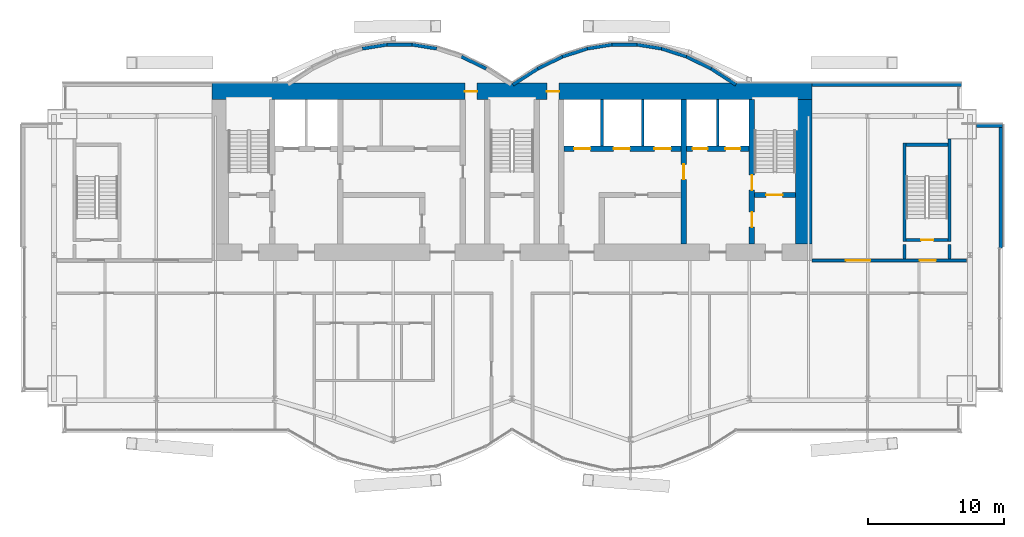
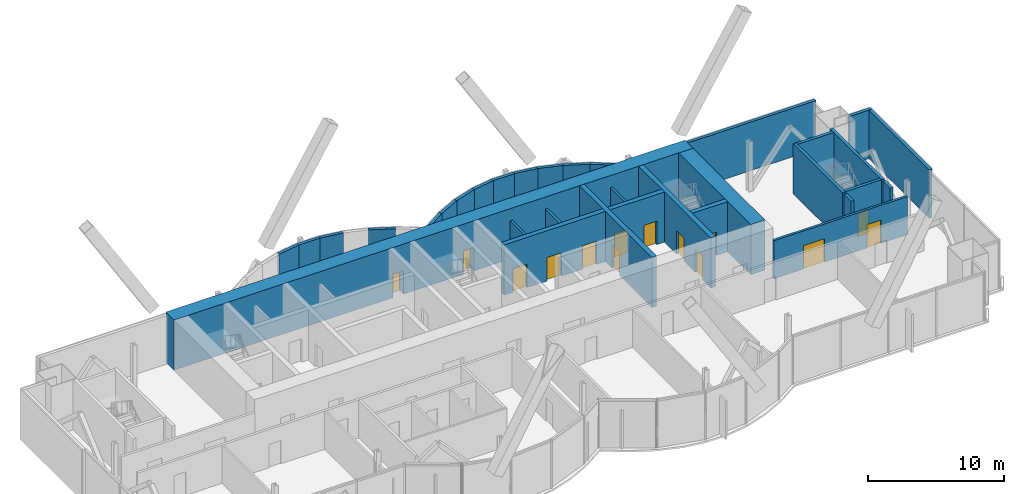
# One storey, part 15 of 19: 32 walls, 14 doors, 14 openings.
"""IFC4 building model written with IfcOpenShell, lengths in metres."""

from ifc_helpers import new_model, si_unit, direction, frame, frame_2d, origin, place, context, subcontext, project, spatial, rectangle, extrude, material, layer, layer_set, layer_usage, type_object, element, fill, save


model = new_model("IFC4")

# Units and contexts
model_context = context("Model", 3, precision=1e-05, world=origin(), true_north=direction((0.0, 1.0)))
body_context = subcontext(model_context, "Body", "Model", "MODEL_VIEW")
ifc_project = project(units=[si_unit("LENGTHUNIT", "METRE"), si_unit("AREAUNIT", "SQUARE_METRE"), si_unit("VOLUMEUNIT", "CUBIC_METRE"), si_unit("PLANEANGLEUNIT", "RADIAN"), si_unit("MASSUNIT", "GRAM", prefix="KILO")], contexts=[model_context])

# Site, building, storey
site_placement = place(None, origin())
site = spatial("IfcSite", under=ifc_project, at=site_placement, CompositionType="ELEMENT")
building_placement = place(site_placement, origin())
building = spatial("IfcBuilding", under=site, at=building_placement, Name="Bicima Exchange Tower", CompositionType="ELEMENT")
storey_placement = place(building_placement, frame((0.0, 0.0, 324.5)))
storey = spatial("IfcBuildingStorey", under=building, at=storey_placement, Name="L73", CompositionType="ELEMENT", Elevation=324.5)

# Walls
ifc_material_1 = material(Name="Gypsum board partition")
ifc_layer_1 = layer(ifc_material_1, 0.199951171875)
ifc_layer_set_1 = layer_set([ifc_layer_1], Name="Gypsum board partition")
wall_type_1 = type_object("IfcWallType", Name="Fire-rated gypsum partition 200 EI120", PredefinedType="PARTITIONING", material=ifc_layer_set_1)
for number, where, z_axis, x_axis, name in (
    (1, (6.60009765625, -4.60009765625, 0.0), (0.0, 0.0, 1.0), (0.0, 1.0, 0.0), "partition wall 18"),
    (2, (9.60009765625, -4.60009765625, 0.0), (0.0, 0.0, 1.0), (0.0, 1.0, 0.0), "partition wall 19"),
    (3, (15.10009765625, -4.60009765625, 0.0), (0.0, 0.0, 1.0), (0.0, 1.0, 0.0), "partition wall 21"),
):
    element("IfcWall", number, at=place(storey_placement, frame(where, z_axis=z_axis, x_axis=x_axis)), inside=storey, type_object=wall_type_1, Name=name, PredefinedType="PARTITIONING", context=body_context, shape_type="SweptSolid", body=[
        extrude(rectangle(XDim=3.400146484375, YDim=0.199951171875, at=frame_2d((1.7001953125, 0.0))), origin(), (0.0, 0.0, 1.0), 3.418212890625),
    ])

# Wall, openings, doors
ifc_layer_2 = layer(ifc_material_1, 0.199951171875)
ifc_layer_set_2 = layer_set([ifc_layer_2], Name="Gypsum board partition")
wall_type_2 = type_object("IfcWallType", Name="Fire-rated gypsum partition 200 EI60", PredefinedType="PARTITIONING", material=ifc_layer_set_2)
wall_1_placement = place(storey_placement, frame((22.0, -13.0, 0.0), z_axis=(0.0, 0.0, 1.0), x_axis=(1.0, 0.0, 0.0)))
wall_1 = element("IfcWall", 4, at=wall_1_placement, inside=storey, type_object=wall_type_2, Name="partition wall 6", PredefinedType="PARTITIONING", context=body_context, shape_type="SweptSolid", body=[
    extrude(rectangle(XDim=11.340087890625, YDim=0.199951171875, at=frame_2d((5.669921875, 0.0))), origin(), (0.0, 0.0, 1.0), 3.418212890625),
])
opening_1_placement = place(wall_1_placement, frame((7.89990234375, 0.0, 0.0)))
opening_1 = element("IfcOpeningElement", 5, at=opening_1_placement, cuts=wall_1, Name="Opening L73-003", PredefinedType="OPENING", context=body_context, shape_type="SweptSolid", body=[
    extrude(rectangle(XDim=1.199951171875, YDim=2.10009765625, at=frame_2d((0.60009765625, 1.050048828125))), frame((0.0, 0.11181640625, 0.0), z_axis=(0.0, -1.0, 0.0), x_axis=(1.0, 0.0, 0.0)), (0.0, 0.0, 1.0), 0.223876953125),
])
opening_2_placement = place(wall_1_placement, frame((2.5, 0.0, 0.0)))
opening_2 = element("IfcOpeningElement", 6, at=opening_2_placement, cuts=wall_1, Name="Opening L73-006", PredefinedType="OPENING", context=body_context, shape_type="SweptSolid", body=[
    extrude(rectangle(XDim=1.800048828125, YDim=2.10009765625, at=frame_2d((0.89990234375, 1.050048828125))), frame((0.0, 0.11181640625, 0.0), z_axis=(0.0, -1.0, 0.0), x_axis=(1.0, 0.0, 0.0)), (0.0, 0.0, 1.0), 0.223876953125),
])
ifc_material_2 = material(Name="Steel fire door leaf", Category="steel")
door_type_1 = type_object("IfcDoorType", Name="Door 1200 swing FD30S", OperationType="SINGLE_SWING_LEFT", PredefinedType="DOOR", material=ifc_material_2)
door_1_placement = place(opening_1_placement, origin())
door_1 = element("IfcDoor", 7, at=door_1_placement, inside=storey, type_object=door_type_1, Name="Door", OperationType="SINGLE_SWING_RIGHT", OverallHeight=2.10009765625, OverallWidth=1.199951171875, PredefinedType="DOOR", context=body_context, shape_type="SweptSolid", body=[
    extrude(rectangle(XDim=1.199951171875, YDim=2.10009765625, at=frame_2d((0.60009765625, 1.050048828125))), frame((0.0, 0.02490234375, 0.0), z_axis=(0.0, -1.0, 0.0), x_axis=(1.0, 0.0, 0.0)), (0.0, 0.0, 1.0), 0.050048828125),
])
fill(opening_1, door_1)
door_type_2 = type_object("IfcDoorType", Name="Door 1800 double swing FD30S", OperationType="DOUBLE_DOOR_SINGLE_SWING", PredefinedType="DOOR", material=ifc_material_2)
door_2_placement = place(opening_2_placement, origin())
door_2 = element("IfcDoor", 8, at=door_2_placement, inside=storey, type_object=door_type_2, Name="Door", OperationType="SINGLE_SWING_LEFT", OverallHeight=2.10009765625, OverallWidth=1.800048828125, PredefinedType="DOOR", context=body_context, shape_type="SweptSolid", body=[
    extrude(rectangle(XDim=1.800048828125, YDim=2.10009765625, at=frame_2d((0.89990234375, 1.050048828125))), frame((0.0, 0.02490234375, 0.0), z_axis=(0.0, -1.0, 0.0), x_axis=(1.0, 0.0, 0.0)), (0.0, 0.0, 1.0), 0.050048828125),
])
fill(opening_2, door_2)

ifc_material_3 = material(Name="Concrete C40/50", Category="concrete")
ifc_layer_3 = layer(ifc_material_3, 1.199951171875)
ifc_layer_set_3 = layer_set([ifc_layer_3], Name="Concrete C40/50")
wall_type_3 = type_object("IfcWallType", Name="RC core wall 1200 C40/50", PredefinedType="SHEAR", material=ifc_layer_set_3)
wall_2_placement = place(storey_placement, frame((-22.0, -0.60009765625, 0.0), z_axis=(0.0, 0.0, 1.0), x_axis=(1.0, 0.0, 0.0)))
wall_2 = element("IfcWall", 9, at=wall_2_placement, inside=storey, type_object=wall_type_3, Name="Core wall north", PredefinedType="SHEAR", context=body_context, shape_type="SweptSolid", body=[
    extrude(rectangle(XDim=44.0, YDim=1.199951171875, at=frame_2d((22.0, 0.0))), origin(), (0.0, 0.0, 1.0), 4.5),
])
opening_3_placement = place(wall_2_placement, frame((18.550048828125, 0.0, 0.0)))
opening_3 = element("IfcOpeningElement", 10, at=opening_3_placement, cuts=wall_2, Name="Opening L73-C16", PredefinedType="OPENING", context=body_context, shape_type="SweptSolid", body=[
    extrude(rectangle(XDim=0.89990234375, YDim=2.10009765625, at=frame_2d((0.449951171875, 1.050048828125))), frame((0.0, 0.61181640625, 0.0), z_axis=(0.0, -1.0, 0.0), x_axis=(1.0, 0.0, 0.0)), (0.0, 0.0, 1.0), 1.223876953125),
])
opening_4_placement = place(wall_2_placement, frame((24.550048828125, 0.0, 0.0)))
opening_4 = element("IfcOpeningElement", 11, at=opening_4_placement, cuts=wall_2, Name="Opening L73-C17", PredefinedType="OPENING", context=body_context, shape_type="SweptSolid", body=[
    extrude(rectangle(XDim=0.89990234375, YDim=2.10009765625, at=frame_2d((0.449951171875, 1.050048828125))), frame((0.0, 0.61181640625, 0.0), z_axis=(0.0, -1.0, 0.0), x_axis=(1.0, 0.0, 0.0)), (0.0, 0.0, 1.0), 1.223876953125),
])
door_type_3 = type_object("IfcDoorType", Name="Door 900 swing FD30S", OperationType="SINGLE_SWING_LEFT", PredefinedType="DOOR", material=ifc_material_2)
door_3_placement = place(opening_3_placement, origin())
door_3 = element("IfcDoor", 12, at=door_3_placement, inside=storey, type_object=door_type_3, Name="Core door", OperationType="SINGLE_SWING_LEFT", OverallHeight=2.10009765625, OverallWidth=0.89990234375, PredefinedType="DOOR", context=body_context, shape_type="SweptSolid", body=[
    extrude(rectangle(XDim=0.89990234375, YDim=2.10009765625, at=frame_2d((0.449951171875, 1.050048828125))), frame((0.0, 0.02490234375, 0.0), z_axis=(0.0, -1.0, 0.0), x_axis=(1.0, 0.0, 0.0)), (0.0, 0.0, 1.0), 0.050048828125),
])
fill(opening_3, door_3)
door_4_placement = place(opening_4_placement, origin())
door_4 = element("IfcDoor", 13, at=door_4_placement, inside=storey, type_object=door_type_3, Name="Core door", OperationType="SINGLE_SWING_LEFT", OverallHeight=2.10009765625, OverallWidth=0.89990234375, PredefinedType="DOOR", context=body_context, shape_type="SweptSolid", body=[
    extrude(rectangle(XDim=0.89990234375, YDim=2.10009765625, at=frame_2d((0.449951171875, 1.050048828125))), frame((0.0, 0.02490234375, 0.0), z_axis=(0.0, -1.0, 0.0), x_axis=(1.0, 0.0, 0.0)), (0.0, 0.0, 1.0), 0.050048828125),
])
fill(opening_4, door_4)

# Walls
wall_3_placement = place(storey_placement, frame((21.39990234375, -11.800048828125, 0.0), z_axis=(0.0, 0.0, 1.0), x_axis=(0.0, 1.0, 0.0)))
element("IfcWall", 14, at=wall_3_placement, inside=storey, type_object=wall_type_3, Name="Core wall east", PredefinedType="SHEAR", context=body_context, shape_type="SweptSolid", body=[
    extrude(rectangle(XDim=10.60009765625, YDim=1.199951171875, at=frame_2d((5.300048828125, 0.0))), origin(), (0.0, 0.0, 1.0), 4.5),
])
ifc_material_4 = material(Name="Concrete C50/60", Category="concrete")
ifc_layer_4 = layer(ifc_material_4, 0.25)
ifc_layer_set_4 = layer_set([ifc_layer_4], Name="Concrete C50/60")
wall_type_4 = type_object("IfcWallType", Name="RC core wall 250 C50/60", PredefinedType="SHEAR", material=ifc_layer_set_4)
for number, where, z_axis, x_axis, name in (
    (15, (28.800048828125, -12.89990234375, 0.0), (0.0, 0.0, 1.0), (0.0, 1.0, 0.0), "stair wall 28"),
    (16, (32.10009765625, -12.89990234375, 0.0), (0.0, 0.0, 1.0), (0.0, 1.0, 0.0), "stair wall 29"),
):
    element("IfcWall", number, at=place(storey_placement, frame(where, z_axis=z_axis, x_axis=x_axis)), inside=storey, type_object=wall_type_4, Name=name, PredefinedType="SHEAR", context=body_context, shape_type="SweptSolid", body=[
        extrude(rectangle(XDim=1.0498046875, YDim=0.25, at=frame_2d((0.52490234375, 0.0))), origin(), (0.0, 0.0, 1.0), 4.5),
    ])

# Wall, openings, doors
ifc_layer_5 = layer(ifc_material_3, 0.39990234375)
ifc_layer_set_5 = layer_set([ifc_layer_5], Name="Concrete C40/50")
wall_type_5 = type_object("IfcWallType", Name="RC core wall 400 C40/50", PredefinedType="SHEAR", material=ifc_layer_set_5)
wall_4_placement = place(storey_placement, frame((3.800048828125, -4.800048828125, 0.0), z_axis=(0.0, 0.0, 1.0), x_axis=(1.0, 0.0, 0.0)))
wall_4 = element("IfcWall", 17, at=wall_4_placement, inside=storey, type_object=wall_type_5, Name="shear wall 7", PredefinedType="SHEAR", context=body_context, shape_type="SweptSolid", body=[
    extrude(rectangle(XDim=13.599853515625, YDim=0.39990234375, at=frame_2d((6.7998046875, 0.0))), origin(), (0.0, 0.0, 1.0), 4.5),
])
opening_5_placement = place(wall_4_placement, frame((0.75, 0.0, 0.0)))
opening_5 = element("IfcOpeningElement", 18, at=opening_5_placement, cuts=wall_4, Name="Opening LD-HB1-L73", PredefinedType="OPENING", context=body_context, shape_type="SweptSolid", body=[
    extrude(rectangle(XDim=1.199951171875, YDim=2.10009765625, at=frame_2d((0.60009765625, 1.050048828125))), frame((0.0, 0.2119140625, 0.0), z_axis=(0.0, -1.0, 0.0), x_axis=(1.0, 0.0, 0.0)), (0.0, 0.0, 1.0), 0.423828125),
])
opening_6_placement = place(wall_4_placement, frame((3.64990234375, 0.0, 0.0)))
opening_6 = element("IfcOpeningElement", 19, at=opening_6_placement, cuts=wall_4, Name="Opening LD-HB2-L73", PredefinedType="OPENING", context=body_context, shape_type="SweptSolid", body=[
    extrude(rectangle(XDim=1.199951171875, YDim=2.10009765625, at=frame_2d((0.60009765625, 1.050048828125))), frame((0.0, 0.2119140625, 0.0), z_axis=(0.0, -1.0, 0.0), x_axis=(1.0, 0.0, 0.0)), (0.0, 0.0, 1.0), 0.423828125),
])
opening_7_placement = place(wall_4_placement, frame((6.64990234375, 0.0, 0.0)))
opening_7 = element("IfcOpeningElement", 20, at=opening_7_placement, cuts=wall_4, Name="Opening LD-HB3-L73", PredefinedType="OPENING", context=body_context, shape_type="SweptSolid", body=[
    extrude(rectangle(XDim=1.199951171875, YDim=2.10009765625, at=frame_2d((0.60009765625, 1.050048828125))), frame((0.0, 0.2119140625, 0.0), z_axis=(0.0, -1.0, 0.0), x_axis=(1.0, 0.0, 0.0)), (0.0, 0.0, 1.0), 0.423828125),
])
opening_8_placement = place(wall_4_placement, frame((9.449951171875, 0.0, 0.0)))
opening_8 = element("IfcOpeningElement", 21, at=opening_8_placement, cuts=wall_4, Name="Opening LD-FF2-L73", PredefinedType="OPENING", context=body_context, shape_type="SweptSolid", body=[
    extrude(rectangle(XDim=1.10009765625, YDim=2.10009765625, at=frame_2d((0.550048828125, 1.050048828125))), frame((0.0, 0.2119140625, 0.0), z_axis=(0.0, -1.0, 0.0), x_axis=(1.0, 0.0, 0.0)), (0.0, 0.0, 1.0), 0.423828125),
])
opening_9_placement = place(wall_4_placement, frame((11.85009765625, 0.0, 0.0)))
opening_9 = element("IfcOpeningElement", 22, at=opening_9_placement, cuts=wall_4, Name="Opening LD-SV1-L73", PredefinedType="OPENING", context=body_context, shape_type="SweptSolid", body=[
    extrude(rectangle(XDim=1.10009765625, YDim=2.10009765625, at=frame_2d((0.550048828125, 1.050048828125))), frame((0.0, 0.2119140625, 0.0), z_axis=(0.0, -1.0, 0.0), x_axis=(1.0, 0.0, 0.0)), (0.0, 0.0, 1.0), 0.423828125),
])
ifc_material_5 = material(Name="Stainless steel", Category="steel")
door_type_4 = type_object("IfcDoorType", Name="Lift landing door 1100 sliding", OperationType="DOUBLE_DOOR_SLIDING", PredefinedType="DOOR", material=ifc_material_5)
door_5_placement = place(opening_8_placement, origin())
door_5 = element("IfcDoor", 23, at=door_5_placement, inside=storey, type_object=door_type_4, Name="Lift landing door FF2", OperationType="DOUBLE_DOOR_SLIDING", OverallHeight=2.10009765625, OverallWidth=1.10009765625, PredefinedType="DOOR", context=body_context, shape_type="SweptSolid", body=[
    extrude(rectangle(XDim=1.10009765625, YDim=2.10009765625, at=frame_2d((0.550048828125, 1.050048828125))), frame((0.0, 0.02490234375, 0.0), z_axis=(0.0, -1.0, 0.0), x_axis=(1.0, 0.0, 0.0)), (0.0, 0.0, 1.0), 0.050048828125),
])
fill(opening_8, door_5)
door_6_placement = place(opening_9_placement, origin())
door_6 = element("IfcDoor", 24, at=door_6_placement, inside=storey, type_object=door_type_4, Name="Lift landing door SV1", OperationType="DOUBLE_DOOR_SLIDING", OverallHeight=2.10009765625, OverallWidth=1.10009765625, PredefinedType="DOOR", context=body_context, shape_type="SweptSolid", body=[
    extrude(rectangle(XDim=1.10009765625, YDim=2.10009765625, at=frame_2d((0.550048828125, 1.050048828125))), frame((0.0, 0.02490234375, 0.0), z_axis=(0.0, -1.0, 0.0), x_axis=(1.0, 0.0, 0.0)), (0.0, 0.0, 1.0), 0.050048828125),
])
fill(opening_9, door_6)
door_type_5 = type_object("IfcDoorType", Name="Lift landing door 1200 sliding", OperationType="DOUBLE_DOOR_SLIDING", PredefinedType="DOOR", material=ifc_material_5)
door_7_placement = place(opening_5_placement, origin())
door_7 = element("IfcDoor", 25, at=door_7_placement, inside=storey, type_object=door_type_5, Name="Lift landing door HB1", OperationType="DOUBLE_DOOR_SLIDING", OverallHeight=2.10009765625, OverallWidth=1.199951171875, PredefinedType="DOOR", context=body_context, shape_type="SweptSolid", body=[
    extrude(rectangle(XDim=1.199951171875, YDim=2.10009765625, at=frame_2d((0.60009765625, 1.050048828125))), frame((0.0, 0.02490234375, 0.0), z_axis=(0.0, -1.0, 0.0), x_axis=(1.0, 0.0, 0.0)), (0.0, 0.0, 1.0), 0.050048828125),
])
fill(opening_5, door_7)
door_8_placement = place(opening_6_placement, origin())
door_8 = element("IfcDoor", 26, at=door_8_placement, inside=storey, type_object=door_type_5, Name="Lift landing door HB2", OperationType="DOUBLE_DOOR_SLIDING", OverallHeight=2.10009765625, OverallWidth=1.199951171875, PredefinedType="DOOR", context=body_context, shape_type="SweptSolid", body=[
    extrude(rectangle(XDim=1.199951171875, YDim=2.10009765625, at=frame_2d((0.60009765625, 1.050048828125))), frame((0.0, 0.02490234375, 0.0), z_axis=(0.0, -1.0, 0.0), x_axis=(1.0, 0.0, 0.0)), (0.0, 0.0, 1.0), 0.050048828125),
])
fill(opening_6, door_8)
door_9_placement = place(opening_7_placement, origin())
door_9 = element("IfcDoor", 27, at=door_9_placement, inside=storey, type_object=door_type_5, Name="Lift landing door HB3", OperationType="DOUBLE_DOOR_SLIDING", OverallHeight=2.10009765625, OverallWidth=1.199951171875, PredefinedType="DOOR", context=body_context, shape_type="SweptSolid", body=[
    extrude(rectangle(XDim=1.199951171875, YDim=2.10009765625, at=frame_2d((0.60009765625, 1.050048828125))), frame((0.0, 0.02490234375, 0.0), z_axis=(0.0, -1.0, 0.0), x_axis=(1.0, 0.0, 0.0)), (0.0, 0.0, 1.0), 0.050048828125),
])
fill(opening_7, door_9)

# Wall, opening, door
wall_5_placement = place(storey_placement, frame((12.60009765625, -11.800048828125, 0.0), z_axis=(0.0, 0.0, 1.0), x_axis=(0.0, 1.0, 0.0)))
wall_5 = element("IfcWall", 28, at=wall_5_placement, inside=storey, type_object=wall_type_5, Name="shear wall 20", PredefinedType="SHEAR", context=body_context, shape_type="SweptSolid", body=[
    extrude(rectangle(XDim=10.60009765625, YDim=0.39990234375, at=frame_2d((5.300048828125, 0.0))), origin(), (0.0, 0.0, 1.0), 4.5),
])
opening_10_placement = place(wall_5_placement, frame((4.75, 0.0, 0.0)))
opening_10 = element("IfcOpeningElement", 29, at=opening_10_placement, cuts=wall_5, Name="Opening L73-C09", PredefinedType="OPENING", context=body_context, shape_type="SweptSolid", body=[
    extrude(rectangle(XDim=1.10009765625, YDim=2.10009765625, at=frame_2d((0.550048828125, 1.050048828125))), frame((0.0, 0.2119140625, 0.0), z_axis=(0.0, -1.0, 0.0), x_axis=(1.0, 0.0, 0.0)), (0.0, 0.0, 1.0), 0.423828125),
])
door_type_6 = type_object("IfcDoorType", Name="Door 1100 swing FD60S", OperationType="SINGLE_SWING_LEFT", PredefinedType="DOOR", material=ifc_material_2)
door_10_placement = place(opening_10_placement, frame((1.10009765625, 0.0, 0.0), z_axis=(0.0, 0.0, 1.0), x_axis=(-1.0, 0.0, 0.0)))
door_10 = element("IfcDoor", 30, at=door_10_placement, inside=storey, type_object=door_type_6, Name="Core door", OperationType="SINGLE_SWING_RIGHT", OverallHeight=2.10009765625, OverallWidth=1.10009765625, PredefinedType="DOOR", context=body_context, shape_type="SweptSolid", body=[
    extrude(rectangle(XDim=1.10009765625, YDim=2.10009765625, at=frame_2d((0.550048828125, 1.050048828125))), frame((0.0, 0.02490234375, 0.0), z_axis=(0.0, -1.0, 0.0), x_axis=(1.0, 0.0, 0.0)), (0.0, 0.0, 1.0), 0.050048828125),
])
fill(opening_10, door_10)

ifc_layer_6 = layer(ifc_material_4, 0.39990234375)
ifc_layer_set_6 = layer_set([ifc_layer_6], Name="Concrete C50/60")
wall_type_6 = type_object("IfcWallType", Name="RC core wall 400 C50/60", PredefinedType="SHEAR", material=ifc_layer_set_6)
wall_6_placement = place(storey_placement, frame((17.800048828125, -8.199951171875, 0.0), z_axis=(0.0, 0.0, 1.0), x_axis=(1.0, 0.0, 0.0)))
wall_6 = element("IfcWall", 31, at=wall_6_placement, inside=storey, type_object=wall_type_6, Name="stair wall 5", PredefinedType="SHEAR", context=body_context, shape_type="SweptSolid", body=[
    extrude(rectangle(XDim=3.0, YDim=0.39990234375, at=frame_2d((1.5, 0.0))), origin(), (0.0, 0.0, 1.0), 4.5),
])
opening_11_placement = place(wall_6_placement, frame((0.85009765625, 0.0, 0.0)))
opening_11 = element("IfcOpeningElement", 32, at=opening_11_placement, cuts=wall_6, Name="Opening L73-C04", PredefinedType="OPENING", context=body_context, shape_type="SweptSolid", body=[
    extrude(rectangle(XDim=1.199951171875, YDim=2.10009765625, at=frame_2d((0.60009765625, 1.050048828125))), frame((0.0, 0.2119140625, 0.0), z_axis=(0.0, -1.0, 0.0), x_axis=(1.0, 0.0, 0.0)), (0.0, 0.0, 1.0), 0.423828125),
])
door_type_7 = type_object("IfcDoorType", Name="Door 1200 swing FD60S", OperationType="SINGLE_SWING_LEFT", PredefinedType="DOOR", material=ifc_material_2)
door_11_placement = place(opening_11_placement, origin())
door_11 = element("IfcDoor", 33, at=door_11_placement, inside=storey, type_object=door_type_7, Name="Core door", OperationType="SINGLE_SWING_RIGHT", OverallHeight=2.10009765625, OverallWidth=1.199951171875, PredefinedType="DOOR", context=body_context, shape_type="SweptSolid", body=[
    extrude(rectangle(XDim=1.199951171875, YDim=2.10009765625, at=frame_2d((0.60009765625, 1.050048828125))), frame((0.0, 0.02490234375, 0.0), z_axis=(0.0, -1.0, 0.0), x_axis=(1.0, 0.0, 0.0)), (0.0, 0.0, 1.0), 0.050048828125),
])
fill(opening_11, door_11)

# Wall, openings, doors
wall_7_placement = place(storey_placement, frame((17.60009765625, -11.800048828125, 0.0), z_axis=(0.0, 0.0, 1.0), x_axis=(0.0, 1.0, 0.0)))
wall_7 = element("IfcWall", 34, at=wall_7_placement, inside=storey, type_object=wall_type_6, Name="stair wall 22", PredefinedType="SHEAR", context=body_context, shape_type="SweptSolid", body=[
    extrude(rectangle(XDim=10.60009765625, YDim=0.39990234375, at=frame_2d((5.300048828125, 0.0))), origin(), (0.0, 0.0, 1.0), 4.5),
])
opening_12_placement = place(wall_7_placement, frame((1.25, 0.0, 0.0)))
opening_12 = element("IfcOpeningElement", 35, at=opening_12_placement, cuts=wall_7, Name="Opening L73-C05", PredefinedType="OPENING", context=body_context, shape_type="SweptSolid", body=[
    extrude(rectangle(XDim=1.10009765625, YDim=2.10009765625, at=frame_2d((0.550048828125, 1.050048828125))), frame((0.0, 0.2119140625, 0.0), z_axis=(0.0, -1.0, 0.0), x_axis=(1.0, 0.0, 0.0)), (0.0, 0.0, 1.0), 0.423828125),
])
opening_13_placement = place(wall_7_placement, frame((3.949951171875, 0.0, 0.0)))
opening_13 = element("IfcOpeningElement", 36, at=opening_13_placement, cuts=wall_7, Name="Opening L73-C08", PredefinedType="OPENING", context=body_context, shape_type="SweptSolid", body=[
    extrude(rectangle(XDim=1.10009765625, YDim=2.10009765625, at=frame_2d((0.550048828125, 1.050048828125))), frame((0.0, 0.2119140625, 0.0), z_axis=(0.0, -1.0, 0.0), x_axis=(1.0, 0.0, 0.0)), (0.0, 0.0, 1.0), 0.423828125),
])
door_12_placement = place(opening_12_placement, origin())
door_12 = element("IfcDoor", 37, at=door_12_placement, inside=storey, type_object=door_type_6, Name="Core door", OperationType="SINGLE_SWING_LEFT", OverallHeight=2.10009765625, OverallWidth=1.10009765625, PredefinedType="DOOR", context=body_context, shape_type="SweptSolid", body=[
    extrude(rectangle(XDim=1.10009765625, YDim=2.10009765625, at=frame_2d((0.550048828125, 1.050048828125))), frame((0.0, 0.02490234375, 0.0), z_axis=(0.0, -1.0, 0.0), x_axis=(1.0, 0.0, 0.0)), (0.0, 0.0, 1.0), 0.050048828125),
])
fill(opening_12, door_12)
door_13_placement = place(opening_13_placement, origin())
door_13 = element("IfcDoor", 38, at=door_13_placement, inside=storey, type_object=door_type_6, Name="Core door", OperationType="SINGLE_SWING_RIGHT", OverallHeight=2.10009765625, OverallWidth=1.10009765625, PredefinedType="DOOR", context=body_context, shape_type="SweptSolid", body=[
    extrude(rectangle(XDim=1.10009765625, YDim=2.10009765625, at=frame_2d((0.550048828125, 1.050048828125))), frame((0.0, 0.02490234375, 0.0), z_axis=(0.0, -1.0, 0.0), x_axis=(1.0, 0.0, 0.0)), (0.0, 0.0, 1.0), 0.050048828125),
])
fill(opening_13, door_13)

# Walls
ifc_layer_7 = layer(ifc_material_4, 0.25)
ifc_layer_set_7 = layer_set([ifc_layer_7], Name="Concrete C50/60")
wall_type_7 = type_object("IfcWallType", Name="RC stair enclosure wall 250 C50/60", PredefinedType="SHEAR", material=ifc_layer_set_7)
wall_8_placement = place(storey_placement, frame((28.800048828125, -11.625, 0.0), z_axis=(0.0, 0.0, 1.0), x_axis=(0.0, 1.0, 0.0)))
element("IfcWall", 39, at=wall_8_placement, inside=storey, type_object=wall_type_7, Name="East end exit stair wall W", PredefinedType="SHEAR", context=body_context, shape_type="SweptSolid", body=[
    extrude(rectangle(XDim=7.25, YDim=0.25, at=frame_2d((3.625, 0.0))), origin(), (0.0, 0.0, 1.0), 4.5),
])
wall_9_placement = place(storey_placement, frame((32.10009765625, -11.625, 0.0), z_axis=(0.0, 0.0, 1.0), x_axis=(0.0, 1.0, 0.0)))
element("IfcWall", 40, at=wall_9_placement, inside=storey, type_object=wall_type_7, Name="East end exit stair wall E", PredefinedType="SHEAR", context=body_context, shape_type="SweptSolid", body=[
    extrude(rectangle(XDim=7.52490234375, YDim=0.25, at=frame_2d((3.762451171875, 0.0))), origin(), (0.0, 0.0, 1.0), 4.5),
])

# Wall, opening, door
wall_10_placement = place(storey_placement, frame((28.925048828125, -11.5, 0.0), z_axis=(0.0, 0.0, 1.0), x_axis=(1.0, 0.0, 0.0)))
wall_10 = element("IfcWall", 41, at=wall_10_placement, inside=storey, type_object=wall_type_7, Name="East end exit stair wall S", PredefinedType="SHEAR", context=body_context, shape_type="SweptSolid", body=[
    extrude(rectangle(XDim=3.050048828125, YDim=0.25, at=frame_2d((1.52490234375, 0.0))), origin(), (0.0, 0.0, 1.0), 4.5),
])
opening_14_placement = place(wall_10_placement, frame((1.10009765625, 0.0, 0.0)))
opening_14 = element("IfcOpeningElement", 42, at=opening_14_placement, cuts=wall_10, Name="Opening L73-004", PredefinedType="OPENING", context=body_context, shape_type="SweptSolid", body=[
    extrude(rectangle(XDim=0.89990234375, YDim=2.10009765625, at=frame_2d((0.449951171875, 1.050048828125))), frame((0.0, 0.136962890625, 0.0), z_axis=(0.0, -1.0, 0.0), x_axis=(1.0, 0.0, 0.0)), (0.0, 0.0, 1.0), 0.27392578125),
])
door_type_8 = type_object("IfcDoorType", Name="Door 900 swing FD60S", OperationType="SINGLE_SWING_LEFT", PredefinedType="DOOR", material=ifc_material_2)
door_14_placement = place(opening_14_placement, origin())
door_14 = element("IfcDoor", 43, at=door_14_placement, inside=storey, type_object=door_type_8, Name="Door", OperationType="SINGLE_SWING_LEFT", OverallHeight=2.10009765625, OverallWidth=0.89990234375, PredefinedType="DOOR", context=body_context, shape_type="SweptSolid", body=[
    extrude(rectangle(XDim=0.89990234375, YDim=2.10009765625, at=frame_2d((0.449951171875, 1.050048828125))), frame((0.0, 0.02490234375, 0.0), z_axis=(0.0, -1.0, 0.0), x_axis=(1.0, 0.0, 0.0)), (0.0, 0.0, 1.0), 0.050048828125),
])
fill(opening_14, door_14)

# Walls
wall_11_placement = place(storey_placement, frame((28.925048828125, -4.5, 0.0), z_axis=(0.0, 0.0, 1.0), x_axis=(1.0, 0.0, 0.0)))
element("IfcWall", 44, at=wall_11_placement, inside=storey, type_object=wall_type_7, Name="East end exit stair wall N", PredefinedType="SHEAR", context=body_context, shape_type="SweptSolid", body=[
    extrude(rectangle(XDim=3.050048828125, YDim=0.25, at=frame_2d((1.52490234375, 0.0))), origin(), (0.0, 0.0, 1.0), 4.5),
])
ifc_layer_8 = layer(ifc_material_3, 0.25)
ifc_layer_set_8 = layer_set([ifc_layer_8], Name="Concrete C40/50")
ifc_layer_usage = layer_usage(ifc_layer_set_8, "AXIS2", "POSITIVE", -0.125)
wall_type_8 = type_object("IfcWallType", Name="Rear backup wall 250", PredefinedType="STANDARD", material=ifc_layer_set_8)
wall_12_placement = place(storey_placement, frame((33.0, -0.125, 0.0), z_axis=(0.0, 0.0, 1.0), x_axis=(-1.0, 0.0, 0.0)))
element("IfcWall", 45, at=wall_12_placement, inside=storey, type_object=wall_type_8, material=ifc_layer_usage, Name="Rear backup wall L73 1", PredefinedType="STANDARD", context=body_context, shape_type="SweptSolid", body=[
    extrude(rectangle(XDim=11.0, YDim=0.25, at=frame_2d((5.5, 0.0))), origin(), (0.0, 0.0, 1.0), 4.35009765625),
])
wall_13_placement = place(storey_placement, frame((16.43212890625, -0.10498046875, 0.0), z_axis=(0.0, 0.0, 1.0), x_axis=(-0.83981312244, 0.542875602121, 0.0)))
element("IfcWall", 46, at=wall_13_placement, inside=storey, type_object=wall_type_8, material=ifc_layer_usage, Name="Rear backup wall L73 2", PredefinedType="STANDARD", context=body_context, shape_type="SweptSolid", body=[
    extrude(rectangle(XDim=2.182861328125, YDim=0.25, at=frame_2d((1.09130859375, 0.0))), origin(), (0.0, 0.0, 1.0), 4.35009765625),
])
wall_14_placement = place(storey_placement, frame((14.6123046875, 1.07275390625, 0.0), z_axis=(0.0, 0.0, 1.0), x_axis=(-0.89982408427, 0.436252928206, 0.0)))
element("IfcWall", 47, at=wall_14_placement, inside=storey, type_object=wall_type_8, material=ifc_layer_usage, Name="Rear backup wall L73 3", PredefinedType="STANDARD", context=body_context, shape_type="SweptSolid", body=[
    extrude(rectangle(XDim=2.03759765625, YDim=0.25, at=frame_2d((1.018798828125, 0.0))), origin(), (0.0, 0.0, 1.0), 4.35009765625),
])
wall_15_placement = place(storey_placement, frame((12.794921875, 1.955078125, 0.0), z_axis=(0.0, 0.0, 1.0), x_axis=(-0.951495806175, 0.307661714928, 0.0)))
element("IfcWall", 48, at=wall_15_placement, inside=storey, type_object=wall_type_8, material=ifc_layer_usage, Name="Rear backup wall L73 4", PredefinedType="STANDARD", context=body_context, shape_type="SweptSolid", body=[
    extrude(rectangle(XDim=1.9267578125, YDim=0.25, at=frame_2d((0.96337890625, 0.0))), origin(), (0.0, 0.0, 1.0), 4.35009765625),
])
wall_16_placement = place(storey_placement, frame((10.97998046875, 2.543212890625, 0.0), z_axis=(0.0, 0.0, 1.0), x_axis=(-0.987181718931, 0.159600293885, 0.0)))
element("IfcWall", 49, at=wall_16_placement, inside=storey, type_object=wall_type_8, material=ifc_layer_usage, Name="Rear backup wall L73 5", PredefinedType="STANDARD", context=body_context, shape_type="SweptSolid", body=[
    extrude(rectangle(XDim=1.857177734375, YDim=0.25, at=frame_2d((0.9287109375, 0.0))), origin(), (0.0, 0.0, 1.0), 4.35009765625),
])
wall_17_placement = place(storey_placement, frame((9.166748046875, 2.837890625, 0.0), z_axis=(0.0, 0.0, 1.0), x_axis=(-1.0, 0.0, 0.0)))
element("IfcWall", 50, at=wall_17_placement, inside=storey, type_object=wall_type_8, material=ifc_layer_usage, Name="Rear backup wall L73 6", PredefinedType="STANDARD", context=body_context, shape_type="SweptSolid", body=[
    extrude(rectangle(XDim=1.83349609375, YDim=0.25, at=frame_2d((0.916748046875, 0.0))), origin(), (0.0, 0.0, 1.0), 4.35009765625),
])
wall_18_placement = place(storey_placement, frame((7.353271484375, 2.839599609375, 0.0), z_axis=(0.0, 0.0, 1.0), x_axis=(-0.987181718931, -0.159600293885, 0.0)))
element("IfcWall", 51, at=wall_18_placement, inside=storey, type_object=wall_type_8, material=ifc_layer_usage, Name="Rear backup wall L73 7", PredefinedType="STANDARD", context=body_context, shape_type="SweptSolid", body=[
    extrude(rectangle(XDim=1.857177734375, YDim=0.25, at=frame_2d((0.9287109375, 0.0))), origin(), (0.0, 0.0, 1.0), 4.35009765625),
])
wall_19_placement = place(storey_placement, frame((5.538330078125, 2.5478515625, 0.0), z_axis=(0.0, 0.0, 1.0), x_axis=(-0.951495806175, -0.307661714928, 0.0)))
element("IfcWall", 52, at=wall_19_placement, inside=storey, type_object=wall_type_8, material=ifc_layer_usage, Name="Rear backup wall L73 8", PredefinedType="STANDARD", context=body_context, shape_type="SweptSolid", body=[
    extrude(rectangle(XDim=1.9267578125, YDim=0.25, at=frame_2d((0.96337890625, 0.0))), origin(), (0.0, 0.0, 1.0), 4.35009765625),
])
wall_20_placement = place(storey_placement, frame((3.72119140625, 1.961669921875, 0.0), z_axis=(0.0, 0.0, 1.0), x_axis=(-0.89982408427, -0.436252928206, 0.0)))
element("IfcWall", 53, at=wall_20_placement, inside=storey, type_object=wall_type_8, material=ifc_layer_usage, Name="Rear backup wall L73 9", PredefinedType="STANDARD", context=body_context, shape_type="SweptSolid", body=[
    extrude(rectangle(XDim=2.03759765625, YDim=0.25, at=frame_2d((1.018798828125, 0.0))), origin(), (0.0, 0.0, 1.0), 4.35009765625),
])
wall_21_placement = place(storey_placement, frame((1.901123046875, 1.080078125, 0.0), z_axis=(0.0, 0.0, 1.0), x_axis=(-0.83981312244, -0.542875602121, 0.0)))
element("IfcWall", 54, at=wall_21_placement, inside=storey, type_object=wall_type_8, material=ifc_layer_usage, Name="Rear backup wall L73 10", PredefinedType="STANDARD", context=body_context, shape_type="SweptSolid", body=[
    extrude(rectangle(XDim=2.182861328125, YDim=0.25, at=frame_2d((1.09130859375, 0.0))), origin(), (0.0, 0.0, 1.0), 4.35009765625),
])
wall_22_placement = place(storey_placement, frame((-1.8876953125, 1.07275390625, 0.0), z_axis=(0.0, 0.0, 1.0), x_axis=(-0.89982408427, 0.436252928206, 0.0)))
element("IfcWall", 55, at=wall_22_placement, inside=storey, type_object=wall_type_8, material=ifc_layer_usage, Name="Rear backup wall L73 12", PredefinedType="STANDARD", context=body_context, shape_type="SweptSolid", body=[
    extrude(rectangle(XDim=2.03759765625, YDim=0.25, at=frame_2d((1.018798828125, 0.0))), origin(), (0.0, 0.0, 1.0), 4.35009765625),
])
wall_23_placement = place(storey_placement, frame((-5.52001953125, 2.543212890625, 0.0), z_axis=(0.0, 0.0, 1.0), x_axis=(-0.987181718931, 0.159600293885, 0.0)))
element("IfcWall", 56, at=wall_23_placement, inside=storey, type_object=wall_type_8, material=ifc_layer_usage, Name="Rear backup wall L73 14", PredefinedType="STANDARD", context=body_context, shape_type="SweptSolid", body=[
    extrude(rectangle(XDim=1.857177734375, YDim=0.25, at=frame_2d((0.9287109375, 0.0))), origin(), (0.0, 0.0, 1.0), 4.35009765625),
])
wall_24_placement = place(storey_placement, frame((-7.333251953125, 2.837890625, 0.0), z_axis=(0.0, 0.0, 1.0), x_axis=(-1.0, 0.0, 0.0)))
element("IfcWall", 57, at=wall_24_placement, inside=storey, type_object=wall_type_8, material=ifc_layer_usage, Name="Rear backup wall L73 15", PredefinedType="STANDARD", context=body_context, shape_type="SweptSolid", body=[
    extrude(rectangle(XDim=1.83349609375, YDim=0.25, at=frame_2d((0.916748046875, 0.0))), origin(), (0.0, 0.0, 1.0), 4.35009765625),
])
wall_25_placement = place(storey_placement, frame((-9.146728515625, 2.839599609375, 0.0), z_axis=(0.0, 0.0, 1.0), x_axis=(-0.987181718931, -0.159600293885, 0.0)))
element("IfcWall", 58, at=wall_25_placement, inside=storey, type_object=wall_type_8, material=ifc_layer_usage, Name="Rear backup wall L73 16", PredefinedType="STANDARD", context=body_context, shape_type="SweptSolid", body=[
    extrude(rectangle(XDim=1.857177734375, YDim=0.25, at=frame_2d((0.9287109375, 0.0))), origin(), (0.0, 0.0, 1.0), 4.35009765625),
])
wall_26_placement = place(storey_placement, frame((35.875, -12.090087890625, 0.0), z_axis=(0.0, 0.0, 1.0), x_axis=(0.0, 1.0, 0.0)))
element("IfcWall", 59, at=wall_26_placement, inside=storey, type_object=wall_type_8, material=ifc_layer_usage, Name="Rear backup wall L73 50", PredefinedType="STANDARD", context=body_context, shape_type="SweptSolid", body=[
    extrude(rectangle(XDim=9.090087890625, YDim=0.25, at=frame_2d((4.544921875, 0.0))), origin(), (0.0, 0.0, 1.0), 4.35009765625),
])
wall_27_placement = place(storey_placement, frame((36.0, -3.125, 0.0), z_axis=(0.0, 0.0, 1.0), x_axis=(-1.0, 0.0, 0.0)))
element("IfcWall", 60, at=wall_27_placement, inside=storey, type_object=wall_type_8, material=ifc_layer_usage, Name="Rear backup wall L73 51", PredefinedType="STANDARD", context=body_context, shape_type="SweptSolid", body=[
    extrude(rectangle(XDim=1.89990234375, YDim=0.25, at=frame_2d((0.949951171875, 0.0))), origin(), (0.0, 0.0, 1.0), 4.35009765625),
])

save(model, "model.ifc")
